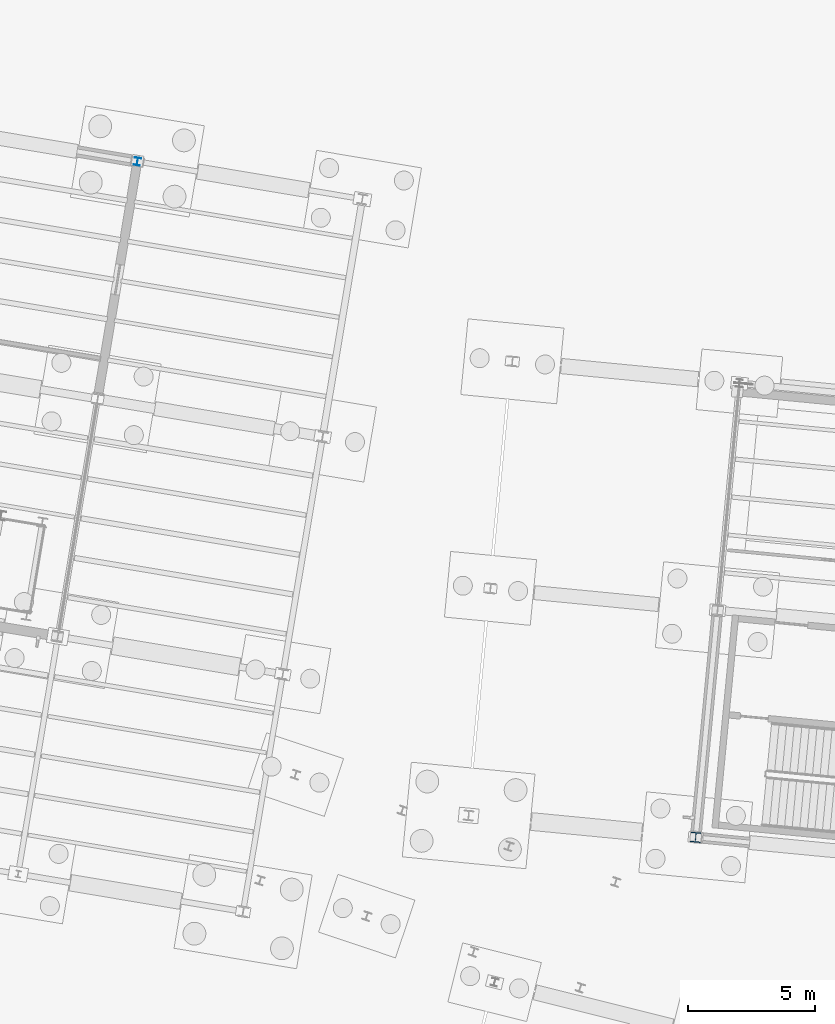
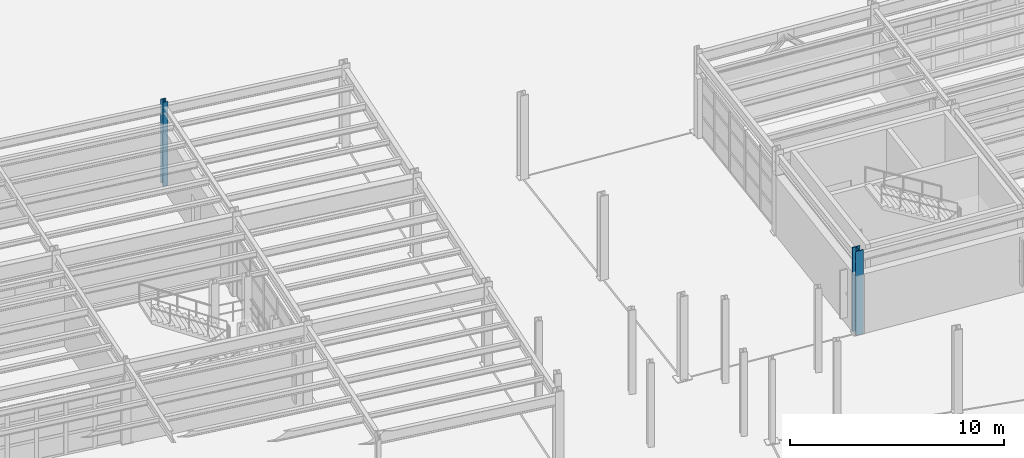
# One storey, part 24 of 108: 2 columns.
"""IFC4 building model written with IfcOpenShell, lengths in metres."""

from ifc_helpers import new_model, si_unit, direction, frame, origin, origin_2d, place, context, subcontext, project, spatial, i_section, extrude, material, material_profile, profile_set, type_object, element, save


model = new_model("IFC4")

# Units and contexts
model_context = context("Model", 3, precision=1e-05, world=origin(), true_north=direction((0.0, 1.0)))
body_context = subcontext(model_context, "Body", "Model", "MODEL_VIEW")
ifc_project = project(units=[si_unit("LENGTHUNIT", "METRE"), si_unit("AREAUNIT", "SQUARE_METRE"), si_unit("VOLUMEUNIT", "CUBIC_METRE"), si_unit("PLANEANGLEUNIT", "RADIAN"), si_unit("MASSUNIT", "GRAM", prefix="KILO")], contexts=[model_context])

# Site, building, storey
site_placement = place(None, origin())
site = spatial("IfcSite", under=ifc_project, at=site_placement, CompositionType="ELEMENT")
building_placement = place(site_placement, origin())
building = spatial("IfcBuilding", under=site, at=building_placement, Name="Vireo Bluff Cable Station", CompositionType="ELEMENT")
storey_placement = place(building_placement, origin())
storey = spatial("IfcBuildingStorey", under=building, at=storey_placement, Name="L00", CompositionType="ELEMENT", Elevation=0.0)

# Columns
ifc_material = material(Name="Steel ASTM A992 Gr. 50", Category="steel")
ifc_material_profile_1 = material_profile(ifc_material, i_section(OverallWidth=0.40087890625, OverallDepth=0.39892578125, WebThickness=0.02490234375, FlangeThickness=0.03955078125, FilletRadius=0.014892578125, at=origin_2d()), Name="W14X211")
ifc_profile_set_1 = profile_set([ifc_material_profile_1], Name="Steel ASTM A992 Gr. 50")
column_type_1 = type_object("IfcColumnType", Name="ECOL-W14X211", PredefinedType="COLUMN", material=ifc_profile_set_1)
column_1_placement = place(storey_placement, frame((67.738037109375, 67.00390625, 0.0), z_axis=(0.0, 0.0, 1.0), x_axis=(0.995396198367, -0.09584575252, 0.0)))
element("IfcColumn", 1, at=column_1_placement, inside=storey, type_object=column_type_1, Name="V3 L00 column 201", PredefinedType="COLUMN", context=body_context, shape_type="SweptSolid", body=[
    extrude(i_section(OverallWidth=0.40087890625, OverallDepth=0.39892578125, WebThickness=0.02490234375, FlangeThickness=0.03955078125, FilletRadius=0.014892578125, at=origin_2d()), origin(), (0.0, 0.0, 1.0), 4.800048828125),
])
ifc_material_profile_2 = material_profile(ifc_material, i_section(OverallWidth=0.25390625, OverallDepth=0.305908203125, WebThickness=0.0087890625, FlangeThickness=0.0146484375, FilletRadius=0.010986328125, at=origin_2d()), Name="W12X53")
ifc_profile_set_2 = profile_set([ifc_material_profile_2], Name="Steel ASTM A992 Gr. 50")
column_type_2 = type_object("IfcColumnType", Name="PIL-W12X53", PredefinedType="PILASTER", material=ifc_profile_set_2)
column_2_placement = place(storey_placement, frame((45.710205078125, 93.66748046875, 0.0), z_axis=(0.0, 0.0, 1.0), x_axis=(0.986285601537, -0.165047605861, 0.0)))
element("IfcColumn", 2, at=column_2_placement, inside=storey, type_object=column_type_2, Name="V4 L00 column 315", PredefinedType="PILASTER", context=body_context, shape_type="SweptSolid", body=[
    extrude(i_section(OverallWidth=0.25390625, OverallDepth=0.305908203125, WebThickness=0.0087890625, FlangeThickness=0.0146484375, FilletRadius=0.010986328125, at=origin_2d()), origin(), (0.0, 0.0, 1.0), 4.800048828125),
])

save(model, "model.ifc")
